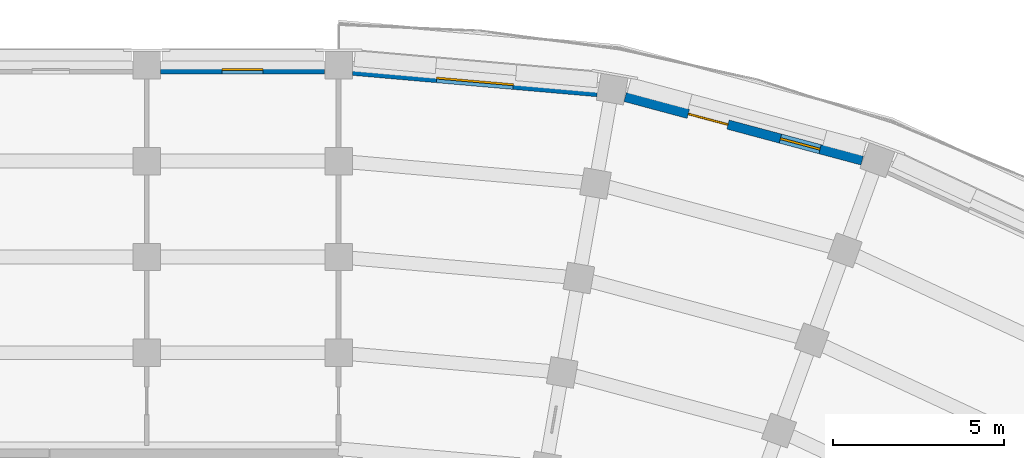
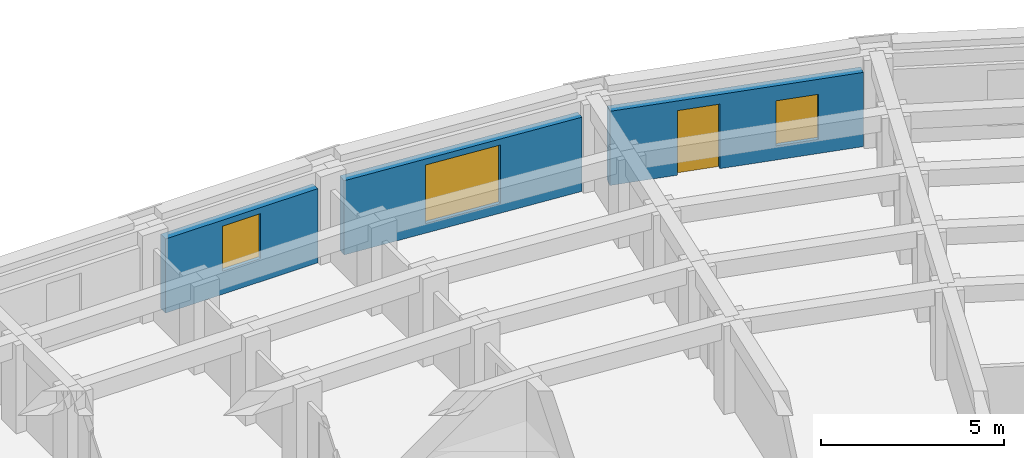
# One storey, part 36 of 54: 3 walls, 3 windows, 1 door, 4 openings.
"""IFC4 building model written with IfcOpenShell, lengths in metres."""

from ifc_helpers import new_model, si_unit, direction, frame, frame_2d, origin, place, context, subcontext, project, spatial, rectangle, extrude, material, layer, layer_set, type_object, element, fill, save


model = new_model("IFC4")

# Units and contexts
model_context = context("Model", 3, precision=1e-05, world=origin(), true_north=direction((0.0, 1.0)))
body_context = subcontext(model_context, "Body", "Model", "MODEL_VIEW")
ifc_project = project(units=[si_unit("LENGTHUNIT", "METRE"), si_unit("AREAUNIT", "SQUARE_METRE"), si_unit("VOLUMEUNIT", "CUBIC_METRE"), si_unit("PLANEANGLEUNIT", "RADIAN"), si_unit("MASSUNIT", "GRAM", prefix="KILO")], contexts=[model_context])

# Site, building, storey
site_placement = place(None, origin())
site = spatial("IfcSite", under=ifc_project, at=site_placement, CompositionType="ELEMENT")
building_placement = place(site_placement, origin())
building = spatial("IfcBuilding", under=site, at=building_placement, Name="Kiranvali Square Residences", CompositionType="ELEMENT")
storey_placement = place(building_placement, frame((0.0, 0.0, 15.0)))
storey = spatial("IfcBuildingStorey", under=building, at=storey_placement, Name="L04", CompositionType="ELEMENT", Elevation=15.0)

# Wall, opening, window
ifc_material_1 = material(Name="Breathable lime-rendered clay brick masonry", Category="masonry")
ifc_layer = layer(ifc_material_1, 0.27490234375)
ifc_layer_set = layer_set([ifc_layer], Name="Breathable lime-rendered clay brick masonry")
wall_type = type_object("IfcWallType", Name="WL-EXT-275", PredefinedType="STANDARD", material=ifc_layer_set)
wall_1_placement = place(storey_placement, frame((120.214599609375, 133.63818359375, 0.0), z_axis=(0.0, 0.0, 1.0), x_axis=(0.99619608453, -0.08713989423, 0.0)))
wall_1 = element("IfcWall", 1, at=wall_1_placement, inside=storey, type_object=wall_type, Name="L04 exterior wall B-L04-CRV-00", PredefinedType="STANDARD", context=body_context, shape_type="SweptSolid", body=[
    extrude(rectangle(XDim=7.1640625, YDim=0.27490234375, at=frame_2d((3.58203125, 0.0))), origin(), (0.0, 0.0, 1.0), 2.471923828125),
])
opening_1_placement = place(wall_1_placement, frame((2.45703125, 0.0, 0.322021484375)))
opening_1 = element("IfcOpeningElement", 2, at=opening_1_placement, cuts=wall_1, Name="Opening W-11", PredefinedType="OPENING", context=body_context, shape_type="SweptSolid", body=[
    extrude(rectangle(XDim=2.25, YDim=1.949951171875, at=frame_2d((1.125, 0.97509765625))), frame((0.0, 0.1474609375, 0.0), z_axis=(0.0, -1.0, 0.0), x_axis=(1.0, 0.0, 0.0)), (0.0, 0.0, 1.0), 0.294921875),
])
ifc_material_2 = material(Name="Solar-control low-e double glazing", Category="glass")
window_type_1 = type_object("IfcWindowType", Name="WIN-RES-2250x1950", PartitioningType="TRIPLE_PANEL_VERTICAL", PredefinedType="WINDOW", material=ifc_material_2)
window_1_placement = place(opening_1_placement, origin())
window_1 = element("IfcWindow", 3, at=window_1_placement, inside=storey, type_object=window_type_1, Name="L04 recessed window B-L04-CRV-00", OverallHeight=1.949951171875, OverallWidth=2.25, PartitioningType="TRIPLE_PANEL_VERTICAL", PredefinedType="WINDOW", context=body_context, shape_type="SweptSolid", body=[
    extrude(rectangle(XDim=2.25, YDim=1.949951171875, at=frame_2d((1.125, 0.97509765625))), frame((0.0, 0.030029296875, 0.0), z_axis=(0.0, -1.0, 0.0), x_axis=(1.0, 0.0, 0.0)), (0.0, 0.0, 1.0), 0.06005859375),
])
fill(opening_1, window_1)

# Wall, openings, door, window
wall_2_placement = place(storey_placement, frame((128.16796875, 132.869873046875, 0.0), z_axis=(0.0, 0.0, 1.0), x_axis=(0.965923712619, -0.258826933296, 0.0)))
wall_2 = element("IfcWall", 4, at=wall_2_placement, inside=storey, type_object=wall_type, Name="L04 exterior wall B-L04-CRV-01", PredefinedType="STANDARD", context=body_context, shape_type="SweptSolid", body=[
    extrude(rectangle(XDim=7.1640625, YDim=0.27490234375, at=frame_2d((3.58203125, 0.0))), origin(), (0.0, 0.0, 1.0), 2.471923828125),
])
opening_2_placement = place(wall_2_placement, frame((4.6904296875, 0.0, 0.471923828125)))
opening_2 = element("IfcOpeningElement", 5, at=opening_2_placement, cuts=wall_2, Name="Opening W-06", PredefinedType="OPENING", context=body_context, shape_type="SweptSolid", body=[
    extrude(rectangle(XDim=1.199951171875, YDim=1.5, at=frame_2d((0.60009765625, 0.75))), frame((0.0, 0.1474609375, 0.0), z_axis=(0.0, -1.0, 0.0), x_axis=(1.0, 0.0, 0.0)), (0.0, 0.0, 1.0), 0.294921875),
])
opening_3_placement = place(wall_2_placement, frame((1.907470703125, 0.0, 0.0)))
opening_3 = element("IfcOpeningElement", 6, at=opening_3_placement, cuts=wall_2, Name="Opening ED-BAL-1", PredefinedType="OPENING", context=body_context, shape_type="SweptSolid", body=[
    extrude(rectangle(XDim=1.199951171875, YDim=2.14990234375, at=frame_2d((0.60009765625, 1.074951171875))), frame((0.0, 0.1474609375, 0.0), z_axis=(0.0, -1.0, 0.0), x_axis=(1.0, 0.0, 0.0)), (0.0, 0.0, 1.0), 0.294921875),
])
ifc_material_3 = material(Name="Anodised bronze aluminium framing", Category="aluminium")
door_type = type_object("IfcDoorType", Name="DR-BAL-1200", OperationType="NOTDEFINED", PredefinedType="DOOR", material=ifc_material_3)
door_placement = place(opening_3_placement, origin())
door = element("IfcDoor", 7, at=door_placement, inside=storey, type_object=door_type, Name="L04 balcony terrace door", OperationType="SINGLE_SWING_LEFT", OverallHeight=2.14990234375, OverallWidth=1.199951171875, PredefinedType="DOOR", context=body_context, shape_type="SweptSolid", body=[
    extrude(rectangle(XDim=1.199951171875, YDim=2.14990234375, at=frame_2d((0.60009765625, 1.074951171875))), frame((0.0, 0.02490234375, 0.0), z_axis=(0.0, -1.0, 0.0), x_axis=(1.0, 0.0, 0.0)), (0.0, 0.0, 1.0), 0.050048828125),
])
fill(opening_3, door)
window_type_2 = type_object("IfcWindowType", Name="WIN-RES-1200x1500", PartitioningType="SINGLE_PANEL", PredefinedType="WINDOW", material=ifc_material_2)
window_2_placement = place(opening_2_placement, origin())
window_2 = element("IfcWindow", 8, at=window_2_placement, inside=storey, type_object=window_type_2, Name="L04 recessed window B-L04-CRV-01", OverallHeight=1.5, OverallWidth=1.199951171875, PartitioningType="SINGLE_PANEL", PredefinedType="WINDOW", context=body_context, shape_type="SweptSolid", body=[
    extrude(rectangle(XDim=1.199951171875, YDim=1.5, at=frame_2d((0.60009765625, 0.75))), frame((0.0, 0.030029296875, 0.0), z_axis=(0.0, -1.0, 0.0), x_axis=(1.0, 0.0, 0.0)), (0.0, 0.0, 1.0), 0.06005859375),
])
fill(opening_2, window_2)

# Wall, opening, window
wall_3_placement = place(storey_placement, frame((119.396484375, 133.675048828125, 0.0), z_axis=(0.0, 0.0, 1.0), x_axis=(-1.0, 0.0, 0.0)))
wall_3 = element("IfcWall", 9, at=wall_3_placement, inside=storey, type_object=wall_type, Name="L04 exterior wall B-L04-A1O-0", PredefinedType="STANDARD", context=body_context, shape_type="SweptSolid", body=[
    extrude(rectangle(XDim=4.79296875, YDim=0.27490234375, at=frame_2d((2.396484375, 0.0))), origin(), (0.0, 0.0, 1.0), 2.471923828125),
])
opening_4_placement = place(wall_3_placement, frame((1.79638671875, 0.0, 0.77197265625)))
opening_4 = element("IfcOpeningElement", 10, at=opening_4_placement, cuts=wall_3, Name="Opening W-06", PredefinedType="OPENING", context=body_context, shape_type="SweptSolid", body=[
    extrude(rectangle(XDim=1.199951171875, YDim=1.5, at=frame_2d((0.60009765625, 0.75))), frame((0.0, 0.1474609375, 0.0), z_axis=(0.0, -1.0, 0.0), x_axis=(1.0, 0.0, 0.0)), (0.0, 0.0, 1.0), 0.294921875),
])
window_3_placement = place(opening_4_placement, origin())
window_3 = element("IfcWindow", 11, at=window_3_placement, inside=storey, type_object=window_type_2, Name="L04 recessed window B-L04-A1O-0", OverallHeight=1.5, OverallWidth=1.199951171875, PartitioningType="SINGLE_PANEL", PredefinedType="WINDOW", context=body_context, shape_type="SweptSolid", body=[
    extrude(rectangle(XDim=1.199951171875, YDim=1.5, at=frame_2d((0.60009765625, 0.75))), frame((0.0, 0.030029296875, 0.0), z_axis=(0.0, -1.0, 0.0), x_axis=(1.0, 0.0, 0.0)), (0.0, 0.0, 1.0), 0.06005859375),
])
fill(opening_4, window_3)

save(model, "model.ifc")
